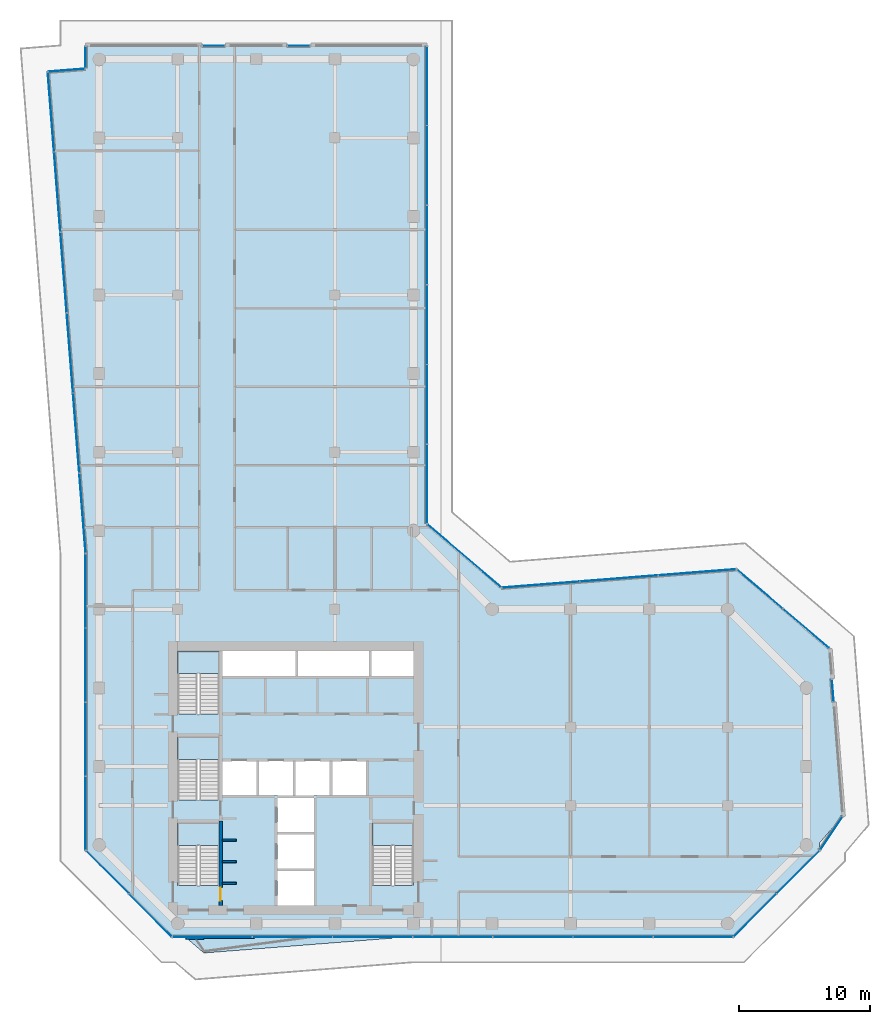
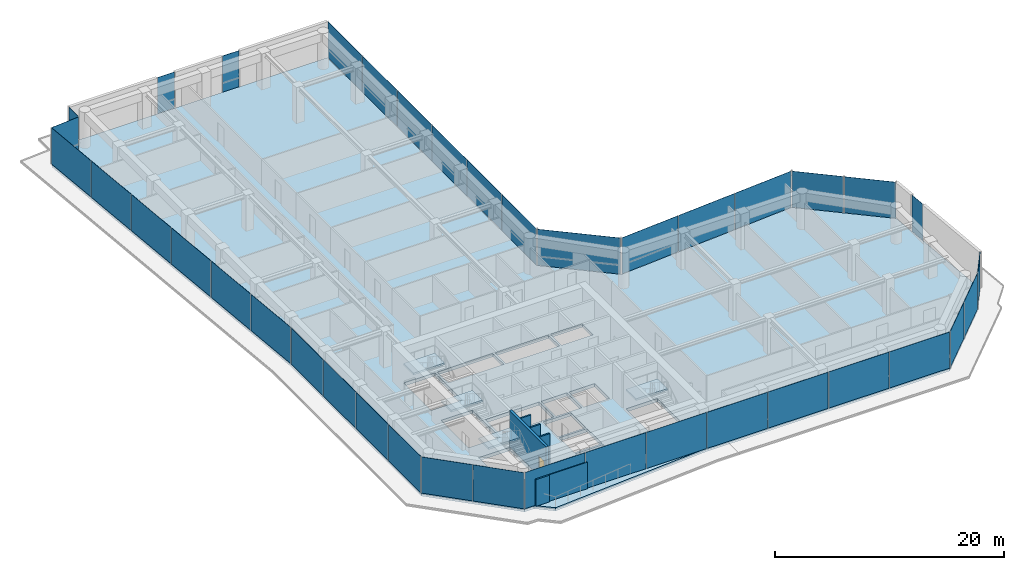
# One storey, part 19 of 25: 39 plates, 6 walls, 5 slabs, 1 door, 1 opening, 19 elements without a shape of their own.
"""IFC4 building model written with IfcOpenShell, lengths in metres."""

from ifc_helpers import new_model, si_unit, direction, frame, frame_2d, origin, origin_2d, place, context, subcontext, project, spatial, polyline, rectangle, outline, extrude, material, layer, layer_set, type_object, element, fill, aggregate, save


model = new_model("IFC4")

# Units and contexts
model_context = context("Model", 3, precision=1e-05, world=origin(), true_north=direction((0.0, 1.0)))
body_context = subcontext(model_context, "Body", "Model", "MODEL_VIEW")
ifc_project = project(units=[si_unit("LENGTHUNIT", "METRE"), si_unit("AREAUNIT", "SQUARE_METRE"), si_unit("VOLUMEUNIT", "CUBIC_METRE"), si_unit("PLANEANGLEUNIT", "RADIAN"), si_unit("MASSUNIT", "GRAM", prefix="KILO")], contexts=[model_context])

# Site, building, storey
site_placement = place(None, origin())
site = spatial("IfcSite", under=ifc_project, at=site_placement, CompositionType="ELEMENT")
building_placement = place(site_placement, origin())
building = spatial("IfcBuilding", under=site, at=building_placement, Name="Welwitschia Terrace Campus", CompositionType="ELEMENT")
storey_placement = place(building_placement, frame((0.0, 0.0, 92.0)))
storey = spatial("IfcBuildingStorey", under=building, at=storey_placement, Name="L20", CompositionType="ELEMENT", Elevation=92.0)

# Curtain wall, plates
ifc_material_1 = material(Name="Bronze anodised aluminium", Category="aluminium")
ifc_layer_1 = layer(ifc_material_1, 0.1201171875)
ifc_layer_set_1 = layer_set([ifc_layer_1], Name="Bronze anodised aluminium")
curtain_wall_type = type_object("IfcCurtainWallType", Name="Curtain wall CW2 tower 6000", PredefinedType="NOTDEFINED", material=ifc_layer_set_1)
curtain_wall_1_placement = place(storey_placement, origin())
curtain_wall_1 = element("IfcCurtainWall", 1, at=curtain_wall_1_placement, inside=storey, type_object=curtain_wall_type, Name="CW L20.0.0", PredefinedType="NOTDEFINED")
ifc_material_2 = material(Name="Tinted bronze-grey glass", Category="glass")
ifc_layer_2 = layer(ifc_material_2, 0.028076171875)
ifc_layer_set_2 = layer_set([ifc_layer_2], Name="Tinted bronze-grey glass")
plate_type = type_object("IfcPlateType", Name="Glass panel 28 tinted", PredefinedType="CURTAIN_PANEL", material=ifc_layer_set_2)
plate_1_placement = place(storey_placement, frame((-3.68408203125, 65.97119140625, 0.0), z_axis=(0.0, 0.0, 1.0), x_axis=(0.078459095728, -0.996917333733, 0.0)))
plate_1 = element("IfcPlate", 2, at=plate_1_placement, type_object=plate_type, Name="Panel L20.0.0.0", PredefinedType="CURTAIN_PANEL", context=body_context, shape_type="SweptSolid", body=[
    extrude(rectangle(XDim=6.06298828125, YDim=0.028076171875, at=origin_2d()), origin(), (0.0, 0.0, 1.0), 3.85009765625),
])
plate_2_placement = place(storey_placement, frame((-3.202392578125, 59.85205078125, 0.0), z_axis=(0.0, 0.0, 1.0), x_axis=(0.078459095728, -0.996917333733, 0.0)))
plate_2 = element("IfcPlate", 3, at=plate_2_placement, type_object=plate_type, Name="Panel L20.0.0.1", PredefinedType="CURTAIN_PANEL", context=body_context, shape_type="SweptSolid", body=[
    extrude(rectangle(XDim=6.093017578125, YDim=0.028076171875, at=origin_2d()), origin(), (0.0, 0.0, 1.0), 3.85009765625),
])
plate_3_placement = place(storey_placement, frame((-2.7197265625, 53.718017578125, 0.0), z_axis=(0.0, 0.0, 1.0), x_axis=(0.078459095728, -0.996917333733, 0.0)))
plate_3 = element("IfcPlate", 4, at=plate_3_placement, type_object=plate_type, Name="Panel L20.0.0.2", PredefinedType="CURTAIN_PANEL", context=body_context, shape_type="SweptSolid", body=[
    extrude(rectangle(XDim=6.093017578125, YDim=0.028076171875, at=origin_2d()), origin(), (0.0, 0.0, 1.0), 3.85009765625),
])
plate_4_placement = place(storey_placement, frame((-2.23681640625, 47.583984375, 0.0), z_axis=(0.0, 0.0, 1.0), x_axis=(0.078459095728, -0.996917333733, 0.0)))
plate_4 = element("IfcPlate", 5, at=plate_4_placement, type_object=plate_type, Name="Panel L20.0.0.3", PredefinedType="CURTAIN_PANEL", context=body_context, shape_type="SweptSolid", body=[
    extrude(rectangle(XDim=6.093017578125, YDim=0.028076171875, at=origin_2d()), origin(), (0.0, 0.0, 1.0), 3.85009765625),
])
plate_5_placement = place(storey_placement, frame((-1.754150390625, 41.44970703125, 0.0), z_axis=(0.0, 0.0, 1.0), x_axis=(0.078459095728, -0.996917333733, 0.0)))
plate_5 = element("IfcPlate", 6, at=plate_5_placement, type_object=plate_type, Name="Panel L20.0.0.4", PredefinedType="CURTAIN_PANEL", context=body_context, shape_type="SweptSolid", body=[
    extrude(rectangle(XDim=6.093017578125, YDim=0.028076171875, at=origin_2d()), origin(), (0.0, 0.0, 1.0), 3.85009765625),
])
plate_6_placement = place(storey_placement, frame((-1.2724609375, 35.33056640625, 0.0), z_axis=(0.0, 0.0, 1.0), x_axis=(0.078459095728, -0.996917333733, 0.0)))
plate_6 = element("IfcPlate", 7, at=plate_6_placement, type_object=plate_type, Name="Panel L20.0.0.5", PredefinedType="CURTAIN_PANEL", context=body_context, shape_type="SweptSolid", body=[
    extrude(rectangle(XDim=6.06298828125, YDim=0.028076171875, at=origin_2d()), origin(), (0.0, 0.0, 1.0), 3.85009765625),
])
aggregate(curtain_wall_1, [plate_1, plate_2, plate_3, plate_4, plate_5, plate_6])

curtain_wall_2_placement = place(storey_placement, origin())
curtain_wall_2 = element("IfcCurtainWall", 8, at=curtain_wall_2_placement, inside=storey, type_object=curtain_wall_type, Name="CW L20.1.0", PredefinedType="NOTDEFINED")
plate_7_placement = place(storey_placement, frame((-1.030029296875, 29.399169921875, 0.0), z_axis=(0.0, 0.0, 1.0), x_axis=(0.0, -1.0, 0.0)))
plate_7 = element("IfcPlate", 9, at=plate_7_placement, type_object=plate_type, Name="Panel L20.1.0.0", PredefinedType="CURTAIN_PANEL", context=body_context, shape_type="SweptSolid", body=[
    extrude(rectangle(XDim=5.578857421875, YDim=0.028076171875, at=origin_2d()), origin(), (0.0, 0.0, 1.0), 3.85009765625),
])
plate_8_placement = place(storey_placement, frame((-1.030029296875, 23.745361328125, 0.0), z_axis=(0.0, 0.0, 1.0), x_axis=(0.0, -1.0, 0.0)))
plate_8 = element("IfcPlate", 10, at=plate_8_placement, type_object=plate_type, Name="Panel L20.1.0.1", PredefinedType="CURTAIN_PANEL", context=body_context, shape_type="SweptSolid", body=[
    extrude(rectangle(XDim=5.60888671875, YDim=0.028076171875, at=origin_2d()), origin(), (0.0, 0.0, 1.0), 3.85009765625),
])
plate_9_placement = place(storey_placement, frame((-1.030029296875, 18.07666015625, 0.0), z_axis=(0.0, 0.0, 1.0), x_axis=(0.0, -1.0, 0.0)))
plate_9 = element("IfcPlate", 11, at=plate_9_placement, type_object=plate_type, Name="Panel L20.1.0.2", PredefinedType="CURTAIN_PANEL", context=body_context, shape_type="SweptSolid", body=[
    extrude(rectangle(XDim=5.60888671875, YDim=0.028076171875, at=origin_2d()), origin(), (0.0, 0.0, 1.0), 3.85009765625),
])
plate_10_placement = place(storey_placement, frame((-1.030029296875, 12.4228515625, 0.0), z_axis=(0.0, 0.0, 1.0), x_axis=(0.0, -1.0, 0.0)))
plate_10 = element("IfcPlate", 12, at=plate_10_placement, type_object=plate_type, Name="Panel L20.1.0.3", PredefinedType="CURTAIN_PANEL", context=body_context, shape_type="SweptSolid", body=[
    extrude(rectangle(XDim=5.578857421875, YDim=0.028076171875, at=origin_2d()), origin(), (0.0, 0.0, 1.0), 3.85009765625),
])
aggregate(curtain_wall_2, [plate_7, plate_8, plate_9, plate_10])

curtain_wall_3_placement = place(storey_placement, origin())
curtain_wall_3 = element("IfcCurtainWall", 13, at=curtain_wall_3_placement, inside=storey, type_object=curtain_wall_type, Name="CW L20.2.0", PredefinedType="NOTDEFINED")
plate_11_placement = place(storey_placement, frame((0.63134765625, 7.911865234375, 0.0), z_axis=(0.0, 0.0, 1.0), x_axis=(0.707106781187, -0.707106781187, 0.0)))
plate_11 = element("IfcPlate", 14, at=plate_11_placement, type_object=plate_type, Name="Panel L20.2.0.0", PredefinedType="CURTAIN_PANEL", context=body_context, shape_type="SweptSolid", body=[
    extrude(rectangle(XDim=4.579345703125, YDim=0.028076171875, at=origin_2d()), origin(), (0.0, 0.0, 1.0), 3.85009765625),
])
plate_12_placement = place(storey_placement, frame((3.911865234375, 4.63134765625, 0.0), z_axis=(0.0, 0.0, 1.0), x_axis=(0.707106781187, -0.707106781187, 0.0)))
plate_12 = element("IfcPlate", 15, at=plate_12_placement, type_object=plate_type, Name="Panel L20.2.0.1", PredefinedType="CURTAIN_PANEL", context=body_context, shape_type="SweptSolid", body=[
    extrude(rectangle(XDim=4.579345703125, YDim=0.028076171875, at=origin_2d()), origin(), (0.0, 0.0, 1.0), 3.85009765625),
])
aggregate(curtain_wall_3, [plate_11, plate_12])

curtain_wall_4_placement = place(storey_placement, origin())
curtain_wall_4 = element("IfcCurtainWall", 16, at=curtain_wall_4_placement, inside=storey, type_object=curtain_wall_type, Name="CW L20.3.0", PredefinedType="NOTDEFINED")
plate_13_placement = place(storey_placement, frame((8.6494140625, 2.969970703125, 0.0), z_axis=(0.0, 0.0, 1.0), x_axis=(1.0, 0.0, 0.0)))
plate_13 = element("IfcPlate", 17, at=plate_13_placement, type_object=plate_type, Name="Panel L20.3.0.0", PredefinedType="CURTAIN_PANEL", context=body_context, shape_type="SweptSolid", body=[
    extrude(rectangle(XDim=6.031982421875, YDim=0.028076171875, at=origin_2d()), origin(), (0.0, 0.0, 1.0), 3.85009765625),
])
plate_14_placement = place(storey_placement, frame((14.756103515625, 2.969970703125, 0.0), z_axis=(0.0, 0.0, 1.0), x_axis=(1.0, 0.0, 0.0)))
plate_14 = element("IfcPlate", 18, at=plate_14_placement, type_object=plate_type, Name="Panel L20.3.0.1", PredefinedType="CURTAIN_PANEL", context=body_context, shape_type="SweptSolid", body=[
    extrude(rectangle(XDim=6.06201171875, YDim=0.028076171875, at=origin_2d()), origin(), (0.0, 0.0, 1.0), 3.85009765625),
])
plate_15_placement = place(storey_placement, frame((20.878173828125, 2.969970703125, 0.0), z_axis=(0.0, 0.0, 1.0), x_axis=(1.0, 0.0, 0.0)))
plate_15 = element("IfcPlate", 19, at=plate_15_placement, type_object=plate_type, Name="Panel L20.3.0.2", PredefinedType="CURTAIN_PANEL", context=body_context, shape_type="SweptSolid", body=[
    extrude(rectangle(XDim=6.06201171875, YDim=0.028076171875, at=origin_2d()), origin(), (0.0, 0.0, 1.0), 3.85009765625),
])
plate_16_placement = place(storey_placement, frame((27.0, 2.969970703125, 0.0), z_axis=(0.0, 0.0, 1.0), x_axis=(1.0, 0.0, 0.0)))
plate_16 = element("IfcPlate", 20, at=plate_16_placement, type_object=plate_type, Name="Panel L20.3.0.3", PredefinedType="CURTAIN_PANEL", context=body_context, shape_type="SweptSolid", body=[
    extrude(rectangle(XDim=6.06201171875, YDim=0.028076171875, at=origin_2d()), origin(), (0.0, 0.0, 1.0), 3.85009765625),
])
plate_17_placement = place(storey_placement, frame((33.121826171875, 2.969970703125, 0.0), z_axis=(0.0, 0.0, 1.0), x_axis=(1.0, 0.0, 0.0)))
plate_17 = element("IfcPlate", 21, at=plate_17_placement, type_object=plate_type, Name="Panel L20.3.0.4", PredefinedType="CURTAIN_PANEL", context=body_context, shape_type="SweptSolid", body=[
    extrude(rectangle(XDim=6.06201171875, YDim=0.028076171875, at=origin_2d()), origin(), (0.0, 0.0, 1.0), 3.85009765625),
])
plate_18_placement = place(storey_placement, frame((39.243896484375, 2.969970703125, 0.0), z_axis=(0.0, 0.0, 1.0), x_axis=(1.0, 0.0, 0.0)))
plate_18 = element("IfcPlate", 22, at=plate_18_placement, type_object=plate_type, Name="Panel L20.3.0.5", PredefinedType="CURTAIN_PANEL", context=body_context, shape_type="SweptSolid", body=[
    extrude(rectangle(XDim=6.06201171875, YDim=0.028076171875, at=origin_2d()), origin(), (0.0, 0.0, 1.0), 3.85009765625),
])
plate_19_placement = place(storey_placement, frame((45.3505859375, 2.969970703125, 0.0), z_axis=(0.0, 0.0, 1.0), x_axis=(1.0, 0.0, 0.0)))
plate_19 = element("IfcPlate", 23, at=plate_19_placement, type_object=plate_type, Name="Panel L20.3.0.6", PredefinedType="CURTAIN_PANEL", context=body_context, shape_type="SweptSolid", body=[
    extrude(rectangle(XDim=6.031982421875, YDim=0.028076171875, at=origin_2d()), origin(), (0.0, 0.0, 1.0), 3.85009765625),
])
aggregate(curtain_wall_4, [plate_13, plate_14, plate_15, plate_16, plate_17, plate_18, plate_19])

curtain_wall_5_placement = place(storey_placement, origin())
curtain_wall_5 = element("IfcCurtainWall", 24, at=curtain_wall_5_placement, inside=storey, type_object=curtain_wall_type, Name="CW L20.4.0", PredefinedType="NOTDEFINED")
plate_20_placement = place(storey_placement, frame((50.088134765625, 4.63134765625, 0.0), z_axis=(0.0, 0.0, 1.0), x_axis=(0.707106781187, 0.707106781187, 0.0)))
plate_20 = element("IfcPlate", 25, at=plate_20_placement, type_object=plate_type, Name="Panel L20.4.0.0", PredefinedType="CURTAIN_PANEL", context=body_context, shape_type="SweptSolid", body=[
    extrude(rectangle(XDim=4.579345703125, YDim=0.028076171875, at=origin_2d()), origin(), (0.0, 0.0, 1.0), 3.85009765625),
])
plate_21_placement = place(storey_placement, frame((53.36865234375, 7.911865234375, 0.0), z_axis=(0.0, 0.0, 1.0), x_axis=(0.707106781187, 0.707106781187, 0.0)))
plate_21 = element("IfcPlate", 26, at=plate_21_placement, type_object=plate_type, Name="Panel L20.4.0.1", PredefinedType="CURTAIN_PANEL", context=body_context, shape_type="SweptSolid", body=[
    extrude(rectangle(XDim=4.579345703125, YDim=0.028076171875, at=origin_2d()), origin(), (0.0, 0.0, 1.0), 3.85009765625),
])
aggregate(curtain_wall_5, [plate_20, plate_21])

# Curtain wall, plate
curtain_wall_6_placement = place(storey_placement, origin())
curtain_wall_6 = element("IfcCurtainWall", 27, at=curtain_wall_6_placement, inside=storey, type_object=curtain_wall_type, Name="CW L20.5.0", PredefinedType="NOTDEFINED")
plate_22_placement = place(storey_placement, frame((55.90625, 10.87890625, 0.0), z_axis=(0.0, 0.0, 1.0), x_axis=(0.557288837152, 0.830318705068, 0.0)))
plate_22 = element("IfcPlate", 28, at=plate_22_placement, type_object=plate_type, Name="Panel L20.5.0.0", PredefinedType="CURTAIN_PANEL", context=body_context, shape_type="SweptSolid", body=[
    extrude(rectangle(XDim=3.024658203125, YDim=0.028076171875, at=origin_2d()), origin(), (0.0, 0.0, 1.0), 3.85009765625),
])
aggregate(curtain_wall_6, [plate_22])

curtain_wall_7_placement = place(storey_placement, origin())
curtain_wall_7 = element("IfcCurtainWall", 29, at=curtain_wall_7_placement, inside=storey, type_object=curtain_wall_type, Name="CW L20.6.S0", PredefinedType="NOTDEFINED")
plate_23_placement = place(storey_placement, frame((56.026123046875, 21.794677734375, 0.0), z_axis=(0.0, 0.0, 1.0), x_axis=(-0.078459095728, 0.996917333733, 0.0)))
plate_23 = element("IfcPlate", 30, at=plate_23_placement, type_object=plate_type, Name="Panel L20.6.S0.0", PredefinedType="CURTAIN_PANEL", context=body_context, shape_type="SweptSolid", body=[
    extrude(rectangle(XDim=1.679931640625, YDim=0.028076171875, at=origin_2d()), origin(), (0.0, 0.0, 1.0), 3.85009765625),
])
aggregate(curtain_wall_7, [plate_23])

# Curtain wall, plates
curtain_wall_8_placement = place(storey_placement, origin())
curtain_wall_8 = element("IfcCurtainWall", 31, at=curtain_wall_8_placement, inside=storey, type_object=curtain_wall_type, Name="CW L20.7.0", PredefinedType="NOTDEFINED")
plate_24_placement = place(storey_placement, frame((53.9873046875, 26.52392578125, 0.0), z_axis=(0.0, 0.0, 1.0), x_axis=(-0.7604059656, 0.64944804833, 0.0)))
plate_24 = element("IfcPlate", 32, at=plate_24_placement, type_object=plate_type, Name="Panel L20.7.0.0", PredefinedType="CURTAIN_PANEL", context=body_context, shape_type="SweptSolid", body=[
    extrude(rectangle(XDim=4.579345703125, YDim=0.028076171875, at=origin_2d()), origin(), (0.0, 0.0, 1.0), 3.85009765625),
])
plate_25_placement = place(storey_placement, frame((50.45947265625, 29.536865234375, 0.0), z_axis=(0.0, 0.0, 1.0), x_axis=(-0.7604059656, 0.64944804833, 0.0)))
plate_25 = element("IfcPlate", 33, at=plate_25_placement, type_object=plate_type, Name="Panel L20.7.0.1", PredefinedType="CURTAIN_PANEL", context=body_context, shape_type="SweptSolid", body=[
    extrude(rectangle(XDim=4.579345703125, YDim=0.028076171875, at=origin_2d()), origin(), (0.0, 0.0, 1.0), 3.85009765625),
])
aggregate(curtain_wall_8, [plate_24, plate_25])

curtain_wall_9_placement = place(storey_placement, origin())
curtain_wall_9 = element("IfcCurtainWall", 34, at=curtain_wall_9_placement, inside=storey, type_object=curtain_wall_type, Name="CW L20.8.0", PredefinedType="NOTDEFINED")
plate_26_placement = place(storey_placement, frame((45.667236328125, 30.826416015625, 0.0), z_axis=(0.0, 0.0, 1.0), x_axis=(-0.996917333733, -0.078459095728, 0.0)))
plate_26 = element("IfcPlate", 35, at=plate_26_placement, type_object=plate_type, Name="Panel L20.8.0.0", PredefinedType="CURTAIN_PANEL", context=body_context, shape_type="SweptSolid", body=[
    extrude(rectangle(XDim=5.909912109375, YDim=0.028076171875, at=origin_2d()), origin(), (0.0, 0.0, 1.0), 3.85009765625),
])
plate_27_placement = place(storey_placement, frame((39.70068359375, 30.356689453125, 0.0), z_axis=(0.0, 0.0, 1.0), x_axis=(-0.996917333733, -0.078459095728, 0.0)))
plate_27 = element("IfcPlate", 36, at=plate_27_placement, type_object=plate_type, Name="Panel L20.8.0.1", PredefinedType="CURTAIN_PANEL", context=body_context, shape_type="SweptSolid", body=[
    extrude(rectangle(XDim=5.93994140625, YDim=0.028076171875, at=origin_2d()), origin(), (0.0, 0.0, 1.0), 3.85009765625),
])
plate_28_placement = place(storey_placement, frame((33.734130859375, 29.88720703125, 0.0), z_axis=(0.0, 0.0, 1.0), x_axis=(-0.996917333733, -0.078459095728, 0.0)))
plate_28 = element("IfcPlate", 37, at=plate_28_placement, type_object=plate_type, Name="Panel L20.8.0.2", PredefinedType="CURTAIN_PANEL", context=body_context, shape_type="SweptSolid", body=[
    extrude(rectangle(XDim=5.909912109375, YDim=0.028076171875, at=origin_2d()), origin(), (0.0, 0.0, 1.0), 3.85009765625),
])
aggregate(curtain_wall_9, [plate_26, plate_27, plate_28])

# Curtain wall, plate
curtain_wall_10_placement = place(storey_placement, origin())
curtain_wall_10 = element("IfcCurtainWall", 38, at=curtain_wall_10_placement, inside=storey, type_object=curtain_wall_type, Name="CW L20.9.0", PredefinedType="NOTDEFINED")
plate_29_placement = place(storey_placement, frame((27.879150390625, 32.084228515625, 0.0), z_axis=(0.0, 0.0, 1.0), x_axis=(-0.7604059656, 0.64944804833, 0.0)))
plate_29 = element("IfcPlate", 39, at=plate_29_placement, type_object=plate_type, Name="Panel L20.9.0.0", PredefinedType="CURTAIN_PANEL", context=body_context, shape_type="SweptSolid", body=[
    extrude(rectangle(XDim=7.373779296875, YDim=0.028076171875, at=origin_2d()), origin(), (0.0, 0.0, 1.0), 3.85009765625),
])
aggregate(curtain_wall_10, [plate_29])

# Curtain wall, plates
curtain_wall_11_placement = place(storey_placement, origin())
curtain_wall_11 = element("IfcCurtainWall", 40, at=curtain_wall_11_placement, inside=storey, type_object=curtain_wall_type, Name="CW L20.10.0", PredefinedType="NOTDEFINED")
plate_30_placement = place(storey_placement, frame((25.030029296875, 37.5751953125, 0.0), z_axis=(0.0, 0.0, 1.0), x_axis=(0.0, 1.0, 0.0)))
plate_30 = element("IfcPlate", 41, at=plate_30_placement, type_object=plate_type, Name="Panel L20.10.0.0", PredefinedType="CURTAIN_PANEL", context=body_context, shape_type="SweptSolid", body=[
    extrude(rectangle(XDim=5.995361328125, YDim=0.028076171875, at=origin_2d()), origin(), (0.0, 0.0, 1.0), 3.85009765625),
])
plate_31_placement = place(storey_placement, frame((25.030029296875, 43.645751953125, 0.0), z_axis=(0.0, 0.0, 1.0), x_axis=(0.0, 1.0, 0.0)))
plate_31 = element("IfcPlate", 42, at=plate_31_placement, type_object=plate_type, Name="Panel L20.10.0.1", PredefinedType="CURTAIN_PANEL", context=body_context, shape_type="SweptSolid", body=[
    extrude(rectangle(XDim=6.025390625, YDim=0.028076171875, at=origin_2d()), origin(), (0.0, 0.0, 1.0), 3.85009765625),
])
plate_32_placement = place(storey_placement, frame((25.030029296875, 49.73095703125, 0.0), z_axis=(0.0, 0.0, 1.0), x_axis=(0.0, 1.0, 0.0)))
plate_32 = element("IfcPlate", 43, at=plate_32_placement, type_object=plate_type, Name="Panel L20.10.0.2", PredefinedType="CURTAIN_PANEL", context=body_context, shape_type="SweptSolid", body=[
    extrude(rectangle(XDim=6.025390625, YDim=0.028076171875, at=origin_2d()), origin(), (0.0, 0.0, 1.0), 3.85009765625),
])
plate_33_placement = place(storey_placement, frame((25.030029296875, 55.81640625, 0.0), z_axis=(0.0, 0.0, 1.0), x_axis=(0.0, 1.0, 0.0)))
plate_33 = element("IfcPlate", 44, at=plate_33_placement, type_object=plate_type, Name="Panel L20.10.0.3", PredefinedType="CURTAIN_PANEL", context=body_context, shape_type="SweptSolid", body=[
    extrude(rectangle(XDim=6.025390625, YDim=0.028076171875, at=origin_2d()), origin(), (0.0, 0.0, 1.0), 3.85009765625),
])
plate_34_placement = place(storey_placement, frame((25.030029296875, 61.90185546875, 0.0), z_axis=(0.0, 0.0, 1.0), x_axis=(0.0, 1.0, 0.0)))
plate_34 = element("IfcPlate", 45, at=plate_34_placement, type_object=plate_type, Name="Panel L20.10.0.4", PredefinedType="CURTAIN_PANEL", context=body_context, shape_type="SweptSolid", body=[
    extrude(rectangle(XDim=6.025390625, YDim=0.028076171875, at=origin_2d()), origin(), (0.0, 0.0, 1.0), 3.85009765625),
])
plate_35_placement = place(storey_placement, frame((25.030029296875, 67.972412109375, 0.0), z_axis=(0.0, 0.0, 1.0), x_axis=(0.0, 1.0, 0.0)))
plate_35 = element("IfcPlate", 46, at=plate_35_placement, type_object=plate_type, Name="Panel L20.10.0.5", PredefinedType="CURTAIN_PANEL", context=body_context, shape_type="SweptSolid", body=[
    extrude(rectangle(XDim=5.995361328125, YDim=0.028076171875, at=origin_2d()), origin(), (0.0, 0.0, 1.0), 3.85009765625),
])
aggregate(curtain_wall_11, [plate_30, plate_31, plate_32, plate_33, plate_34, plate_35])

# Curtain wall, plate
curtain_wall_12_placement = place(storey_placement, origin())
curtain_wall_12 = element("IfcCurtainWall", 47, at=curtain_wall_12_placement, inside=storey, type_object=curtain_wall_type, Name="CW L20.11.S0", PredefinedType="NOTDEFINED")
plate_36_placement = place(storey_placement, frame((15.257568359375, 71.030029296875, 0.0), z_axis=(0.0, 0.0, 1.0), x_axis=(-1.0, 0.0, 0.0)))
plate_36 = element("IfcPlate", 48, at=plate_36_placement, type_object=plate_type, Name="Panel L20.11.S0.0", PredefinedType="CURTAIN_PANEL", context=body_context, shape_type="SweptSolid", body=[
    extrude(rectangle(XDim=1.679931640625, YDim=0.028076171875, at=origin_2d()), origin(), (0.0, 0.0, 1.0), 3.85009765625),
])
aggregate(curtain_wall_12, [plate_36])

curtain_wall_13_placement = place(storey_placement, origin())
curtain_wall_13 = element("IfcCurtainWall", 49, at=curtain_wall_13_placement, inside=storey, type_object=curtain_wall_type, Name="CW L20.11.S1", PredefinedType="NOTDEFINED")
plate_37_placement = place(storey_placement, frame((8.742431640625, 71.030029296875, 0.0), z_axis=(0.0, 0.0, 1.0), x_axis=(-1.0, 0.0, 0.0)))
plate_37 = element("IfcPlate", 50, at=plate_37_placement, type_object=plate_type, Name="Panel L20.11.S1.0", PredefinedType="CURTAIN_PANEL", context=body_context, shape_type="SweptSolid", body=[
    extrude(rectangle(XDim=1.679931640625, YDim=0.028076171875, at=origin_2d()), origin(), (0.0, 0.0, 1.0), 3.85009765625),
])
aggregate(curtain_wall_13, [plate_37])

curtain_wall_14_placement = place(storey_placement, origin())
curtain_wall_14 = element("IfcCurtainWall", 51, at=curtain_wall_14_placement, inside=storey, type_object=curtain_wall_type, Name="CW L20.12.0", PredefinedType="NOTDEFINED")
plate_38_placement = place(storey_placement, frame((-1.030029296875, 70.155517578125, 0.0), z_axis=(0.0, 0.0, 1.0), x_axis=(0.0, -1.0, 0.0)))
plate_38 = element("IfcPlate", 52, at=plate_38_placement, type_object=plate_type, Name="Panel L20.12.0.0", PredefinedType="CURTAIN_PANEL", context=body_context, shape_type="SweptSolid", body=[
    extrude(rectangle(XDim=1.62890625, YDim=0.028076171875, at=origin_2d()), origin(), (0.0, 0.0, 1.0), 3.85009765625),
])
aggregate(curtain_wall_14, [plate_38])

curtain_wall_15_placement = place(storey_placement, origin())
curtain_wall_15 = element("IfcCurtainWall", 53, at=curtain_wall_15_placement, inside=storey, type_object=curtain_wall_type, Name="CW L20.13.0", PredefinedType="NOTDEFINED")
plate_39_placement = place(storey_placement, frame((-2.478271484375, 69.167236328125, 0.0), z_axis=(0.0, 0.0, 1.0), x_axis=(-0.996917333733, -0.078459095728, 0.0)))
plate_39 = element("IfcPlate", 54, at=plate_39_placement, type_object=plate_type, Name="Panel L20.13.0.0", PredefinedType="CURTAIN_PANEL", context=body_context, shape_type="SweptSolid", body=[
    extrude(rectangle(XDim=2.78564453125, YDim=0.028076171875, at=origin_2d()), origin(), (0.0, 0.0, 1.0), 3.85009765625),
])
aggregate(curtain_wall_15, [plate_39])

# Stair, slab
ifc_material_3 = material(Name="Concrete C40/50", Category="concrete")
stair_type = type_object("IfcStairType", Name="Stair 24R 175 W1500", PredefinedType="HALF_TURN_STAIR", material=ifc_material_3)
stair_1_placement = place(storey_placement, origin())
stair_1 = element("IfcStair", 55, at=stair_1_placement, inside=storey, type_object=stair_type, Name="L20 Exit stair S1", PredefinedType="HALF_TURN_STAIR")
ifc_material_4 = material(Name="Concrete C40/50", Category="concrete")
ifc_layer_3 = layer(ifc_material_4, 0.199951171875)
ifc_layer_set_3 = layer_set([ifc_layer_3], Name="Concrete C40/50")
slab_type_1 = type_object("IfcSlabType", Name="Stair landing RC", PredefinedType="LANDING", material=ifc_layer_set_3)
slab_1_placement = place(storey_placement, frame((0.0, 0.0, 1.89990234375)))
slab_1 = element("IfcSlab", 56, at=slab_1_placement, type_object=slab_type_1, Name="S1 landing 1", PredefinedType="LANDING", context=body_context, shape_type="SweptSolid", body=[
    extrude(outline(polyline([(9.14990234375, 9.97998046875), (9.14990234375, 11.699951171875), (6.0, 11.699951171875), (6.0, 9.97998046875), (9.14990234375, 9.97998046875)])), origin(), (0.0, 0.0, 1.0), 0.2001953125),
])
aggregate(stair_1, [slab_1])

stair_2_placement = place(storey_placement, origin())
stair_2 = element("IfcStair", 57, at=stair_2_placement, inside=storey, type_object=stair_type, Name="L20 Exit stair S3", PredefinedType="HALF_TURN_STAIR")
slab_2_placement = place(storey_placement, frame((0.0, 0.0, 1.89990234375)))
slab_2 = element("IfcSlab", 58, at=slab_2_placement, type_object=slab_type_1, Name="S3 landing 1", PredefinedType="LANDING", context=body_context, shape_type="SweptSolid", body=[
    extrude(outline(polyline([(9.14990234375, 16.530029296875), (9.14990234375, 18.25), (6.0, 18.25), (6.0, 16.530029296875), (9.14990234375, 16.530029296875)])), origin(), (0.0, 0.0, 1.0), 0.2001953125),
])
aggregate(stair_2, [slab_2])

stair_3_placement = place(storey_placement, origin())
stair_3 = element("IfcStair", 59, at=stair_3_placement, inside=storey, type_object=stair_type, Name="L20 Exit stair S4", PredefinedType="HALF_TURN_STAIR")
slab_3_placement = place(storey_placement, frame((0.0, 0.0, 1.89990234375)))
slab_3 = element("IfcSlab", 60, at=slab_3_placement, type_object=slab_type_1, Name="S4 landing 1", PredefinedType="LANDING", context=body_context, shape_type="SweptSolid", body=[
    extrude(outline(polyline([(9.14990234375, 23.080078125), (9.14990234375, 24.800048828125), (6.0, 24.800048828125), (6.0, 23.080078125), (9.14990234375, 23.080078125)])), origin(), (0.0, 0.0, 1.0), 0.2001953125),
])
aggregate(stair_3, [slab_3])

stair_4_placement = place(storey_placement, origin())
stair_4 = element("IfcStair", 61, at=stair_4_placement, inside=storey, type_object=stair_type, Name="L20 Exit stair S2", PredefinedType="HALF_TURN_STAIR")
slab_4_placement = place(storey_placement, frame((0.0, 0.0, 1.89990234375)))
slab_4 = element("IfcSlab", 62, at=slab_4_placement, type_object=slab_type_1, Name="S2 landing 1", PredefinedType="LANDING", context=body_context, shape_type="SweptSolid", body=[
    extrude(outline(polyline([(24.0, 9.97998046875), (24.0, 11.699951171875), (20.85009765625, 11.699951171875), (20.85009765625, 9.97998046875), (24.0, 9.97998046875)])), origin(), (0.0, 0.0, 1.0), 0.2001953125),
])
aggregate(stair_4, [slab_4])

# Slab
ifc_material_5 = material(Name="Concrete C40/50", Category="concrete")
ifc_layer_4 = layer(ifc_material_5, 0.35009765625)
ifc_layer_set_4 = layer_set([ifc_layer_4], Name="Concrete C40/50")
slab_type_2 = type_object("IfcSlabType", Name="Suspended floor slab 350", PredefinedType="FLOOR", material=ifc_layer_set_4)
slab_5_placement = place(storey_placement, frame((0.0, 0.0, -0.35009765625)))
element("IfcSlab", 63, at=slab_5_placement, inside=storey, type_object=slab_type_2, Name="Floor slab L20", PredefinedType="FLOOR", context=body_context, shape_type="SweptSolid", body=[
    extrude(outline(polyline([(-1.0, 69.25341796875), (-1.0, 71.0), (25.0, 71.0), (25.0, 34.503662109375), (30.71826171875, 29.619873046875), (48.662841796875, 31.031982421875), (55.7451171875, 24.9833984375), (56.75146484375, 12.1943359375), (55.0, 10.1435546875), (55.0, 9.585693359375), (48.414306640625, 3.0), (23.86474609375, 3.0), (8.00634765625, 1.751953125), (6.545166015625, 3.0), (5.585693359375, 3.0), (-1.0, 9.585693359375), (-1.0, 32.249755859375), (-3.894287109375, 69.025634765625), (-1.0, 69.25341796875)]), holes=[polyline([(13.60009765625, 8.0), (13.60009765625, 5.39990234375), (16.39990234375, 5.39990234375), (16.39990234375, 8.0), (13.60009765625, 8.0)]), polyline([(9.14990234375, 11.699951171875), (6.0, 11.699951171875), (6.0, 6.902099609375), (9.14990234375, 6.902099609375), (9.14990234375, 11.699951171875)]), polyline([(12.0, 16.39990234375), (9.39990234375, 16.39990234375), (9.39990234375, 13.800048828125), (12.0, 13.800048828125), (12.0, 16.39990234375)]), polyline([(14.800048828125, 16.39990234375), (12.199951171875, 16.39990234375), (12.199951171875, 13.800048828125), (14.800048828125, 13.800048828125), (14.800048828125, 16.39990234375)]), polyline([(9.14990234375, 18.25), (6.0, 18.25), (6.0, 13.451904296875), (9.14990234375, 13.451904296875), (9.14990234375, 18.25)]), polyline([(9.14990234375, 24.800048828125), (6.0, 24.800048828125), (6.0, 20.001953125), (9.14990234375, 20.001953125), (9.14990234375, 24.800048828125)]), polyline([(15.0, 24.800048828125), (9.39990234375, 24.800048828125), (9.39990234375, 22.89990234375), (15.0, 22.89990234375), (15.0, 24.800048828125)]), polyline([(20.85009765625, 11.699951171875), (20.85009765625, 6.902099609375), (24.0, 6.902099609375), (24.0, 11.699951171875), (20.85009765625, 11.699951171875)]), polyline([(16.39990234375, 10.800048828125), (13.60009765625, 10.800048828125), (13.60009765625, 8.199951171875), (16.39990234375, 8.199951171875), (16.39990234375, 10.800048828125)]), polyline([(16.39990234375, 13.60009765625), (13.60009765625, 13.60009765625), (13.60009765625, 11.0), (16.39990234375, 11.0), (16.39990234375, 13.60009765625)]), polyline([(17.60009765625, 16.39990234375), (15.0, 16.39990234375), (15.0, 13.800048828125), (17.60009765625, 13.800048828125), (17.60009765625, 16.39990234375)]), polyline([(20.39990234375, 16.39990234375), (17.800048828125, 16.39990234375), (17.800048828125, 13.800048828125), (20.39990234375, 13.800048828125), (20.39990234375, 16.39990234375)]), polyline([(20.60009765625, 24.800048828125), (15.199951171875, 24.800048828125), (15.199951171875, 22.89990234375), (20.60009765625, 22.89990234375), (20.60009765625, 24.800048828125)]), polyline([(24.0, 24.800048828125), (20.800048828125, 24.800048828125), (20.800048828125, 22.89990234375), (24.0, 22.89990234375), (24.0, 24.800048828125)])]), origin(), (0.0, 0.0, 1.0), 0.35009765625),
])

# Walls
ifc_material_6 = material(Name="Concrete C50/60", Category="concrete")
ifc_layer_5 = layer(ifc_material_6, 0.14990234375)
ifc_layer_set_5 = layer_set([ifc_layer_5], Name="Concrete C50/60")
wall_type_1 = type_object("IfcWallType", Name="Core wall 150 Concrete C50/60", PredefinedType="SHEAR", material=ifc_layer_set_5)
for number, where, z_axis, x_axis, name in (
    (64, (9.39990234375, 7.074951171875, 0.0), (0.0, 0.0, 1.0), (1.0, 0.0, 0.0), "Core wall"),
    (65, (9.39990234375, 8.72509765625, 0.0), (0.0, 0.0, 1.0), (1.0, 0.0, 0.0), "Core wall"),
    (66, (9.39990234375, 10.375, 0.0), (0.0, 0.0, 1.0), (1.0, 0.0, 0.0), "Core wall"),
):
    element("IfcWall", number, at=place(storey_placement, frame(where, z_axis=z_axis, x_axis=x_axis)), inside=storey, type_object=wall_type_1, Name=name, PredefinedType="SHEAR", context=body_context, shape_type="SweptSolid", body=[
        extrude(rectangle(XDim=1.050048828125, YDim=0.14990234375, at=frame_2d((0.52490234375, 0.0))), origin(), (0.0, 0.0, 1.0), 3.85009765625),
    ])

# Wall, opening, door
ifc_material_7 = material(Name="Concrete C50/60", Category="concrete")
ifc_layer_6 = layer(ifc_material_7, 0.25)
ifc_layer_set_6 = layer_set([ifc_layer_6], Name="Concrete C50/60")
wall_type_2 = type_object("IfcWallType", Name="Core wall 250 Concrete C50/60", PredefinedType="SHEAR", material=ifc_layer_set_6)
wall_1_placement = place(storey_placement, frame((9.27490234375, 11.824951171875, 0.0), z_axis=(0.0, 0.0, 1.0), x_axis=(0.0, -1.0, 0.0)))
wall_1 = element("IfcWall", 67, at=wall_1_placement, inside=storey, type_object=wall_type_2, Name="Core wall", PredefinedType="SHEAR", context=body_context, shape_type="SweptSolid", body=[
    extrude(rectangle(XDim=6.425048828125, YDim=0.25, at=frame_2d((3.21240234375, 0.0))), origin(), (0.0, 0.0, 1.0), 3.85009765625),
])
opening_placement = place(wall_1_placement, frame((5.074951171875, 0.0, 0.0)))
opening = element("IfcOpeningElement", 68, at=opening_placement, cuts=wall_1, Name="Opening DS10", PredefinedType="OPENING", context=body_context, shape_type="SweptSolid", body=[
    extrude(rectangle(XDim=1.0, YDim=2.10009765625, at=frame_2d((0.5, 1.050048828125))), frame((0.0, 0.135009765625, 0.0), z_axis=(0.0, -1.0, 0.0), x_axis=(1.0, 0.0, 0.0)), (0.0, 0.0, 1.0), 0.27001953125),
])
ifc_material_8 = material(Name="Steel S275", Category="steel")
door_type = type_object("IfcDoorType", Name="Core door DS10", OperationType="SINGLE_SWING_LEFT", PredefinedType="DOOR", material=ifc_material_8)
door_placement = place(opening_placement, origin())
door = element("IfcDoor", 69, at=door_placement, inside=storey, type_object=door_type, Name="Door S1-FL", OperationType="SINGLE_SWING_RIGHT", OverallHeight=2.10009765625, OverallWidth=1.0, PredefinedType="DOOR", context=body_context, shape_type="SweptSolid", body=[
    extrude(rectangle(XDim=1.0, YDim=2.10009765625, at=frame_2d((0.5, 1.050048828125))), frame((0.0, 0.02490234375, 0.0), z_axis=(0.0, -1.0, 0.0), x_axis=(1.0, 0.0, 0.0)), (0.0, 0.0, 1.0), 0.050048828125),
])
fill(opening, door)

# Walls
ifc_material_9 = material(Name="Gypsum board on steel studs", Category="steel")
ifc_layer_7 = layer(ifc_material_9, 0.14990234375)
ifc_layer_set_7 = layer_set([ifc_layer_7], Name="Gypsum board on steel studs")
wall_type_3 = type_object("IfcWallType", Name="Corridor partition 150 EI 30", PredefinedType="PARTITIONING", material=ifc_layer_set_7)
wall_2_placement = place(storey_placement, frame((6.6298828125, 2.8701171875, 0.0), z_axis=(0.0, 0.0, 1.0), x_axis=(1.0, 0.0, 0.0)))
element("IfcWall", 70, at=wall_2_placement, inside=storey, type_object=wall_type_3, Name="Partition", PredefinedType="PARTITIONING", context=body_context, shape_type="SweptSolid", body=[
    extrude(rectangle(XDim=1.3701171875, YDim=0.14990234375, at=frame_2d((0.68505859375, 0.0))), origin(), (0.0, 0.0, 1.0), 2.830078125),
])
wall_3_placement = place(storey_placement, frame((8.0400390625, 2.949951171875, 0.0), z_axis=(0.0, 0.0, 1.0), x_axis=(1.0, 0.0, 0.0)))
element("IfcWall", 71, at=wall_3_placement, inside=storey, type_object=wall_type_3, Name="Partition", PredefinedType="PARTITIONING", context=body_context, shape_type="SweptSolid", body=[
    extrude(rectangle(XDim=3.81005859375, YDim=0.14990234375, at=frame_2d((1.905029296875, 0.0))), origin(), (0.0, 0.0, 1.0), 2.830078125),
])

save(model, "model.ifc")
